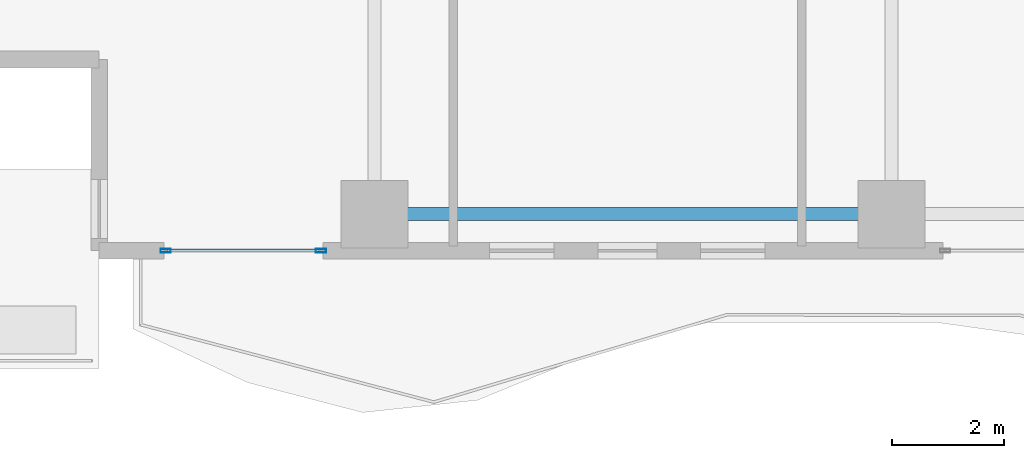
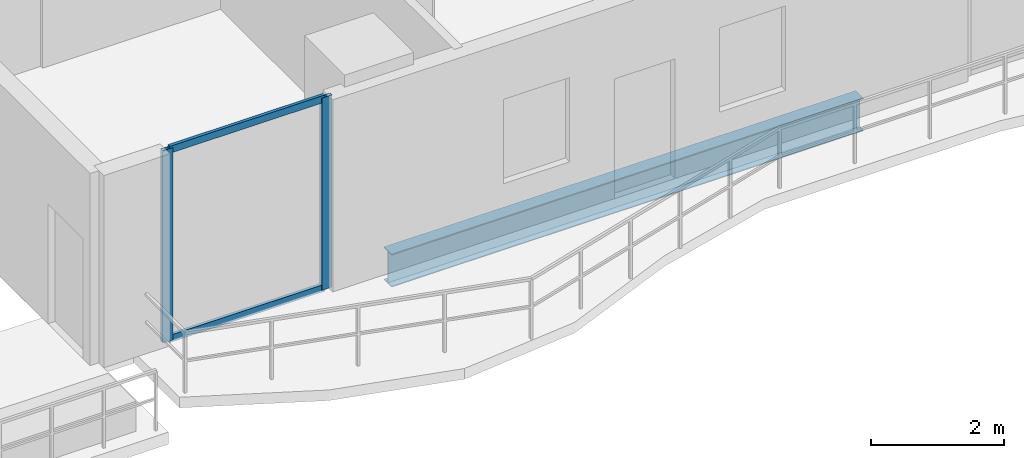
# One storey, part 2 of 32: 4 members, 1 beam, 1 element without a shape of its own.
"""IFC4 building model written with IfcOpenShell, lengths in metres."""

from ifc_helpers import new_model, si_unit, direction, frame, origin, origin_2d, place, context, subcontext, project, spatial, hollow_rectangle, i_section, extrude, material, layer, layer_set, material_profile, profile_set, type_object, element, aggregate, save


model = new_model("IFC4")

# Units and contexts
model_context = context("Model", 3, precision=1e-05, world=origin(), true_north=direction((0.0, 1.0)))
body_context = subcontext(model_context, "Body", "Model", "MODEL_VIEW")
ifc_project = project(units=[si_unit("LENGTHUNIT", "METRE"), si_unit("AREAUNIT", "SQUARE_METRE"), si_unit("VOLUMEUNIT", "CUBIC_METRE"), si_unit("PLANEANGLEUNIT", "RADIAN"), si_unit("MASSUNIT", "GRAM", prefix="KILO")], contexts=[model_context])

# Site, building, storey
site_placement = place(None, origin())
site = spatial("IfcSite", under=ifc_project, at=site_placement, CompositionType="ELEMENT")
building_placement = place(site_placement, origin())
building = spatial("IfcBuilding", under=site, at=building_placement, Name="Zuhayl Quay Hotel", CompositionType="ELEMENT")
storey_placement = place(building_placement, frame((0.0, 0.0, 196.14990234375)))
storey = spatial("IfcBuildingStorey", under=building, at=storey_placement, Name="L49", CompositionType="ELEMENT", Elevation=196.14990234375)

# Beam
ifc_material_1 = material(Name="Steel ASTM A992 Grade 50", Category="steel")
ifc_material_profile_1 = material_profile(ifc_material_1, i_section(OverallWidth=0.22802734375, OverallDepth=0.60693359375, WebThickness=0.01123046875, FlangeThickness=0.017333984375, at=origin_2d()), Name="W24X76")
ifc_profile_set_1 = profile_set([ifc_material_profile_1], Name="Steel ASTM A992 Grade 50")
beam_type = type_object("IfcBeamType", Name="BM_B3_W24X76", PredefinedType="BEAM", material=ifc_profile_set_1)
beam_placement = place(storey_placement, frame((-13.300048828125, -6.949951171875, -0.5234375), z_axis=(1.0, 0.0, 0.0), x_axis=(0.0, 1.0, 0.0)))
element("IfcBeam", 1, at=beam_placement, inside=storey, type_object=beam_type, Name="L49 Floor Beam RG_L49_01", PredefinedType="BEAM", context=body_context, shape_type="SweptSolid", body=[
    extrude(i_section(OverallWidth=0.22802734375, OverallDepth=0.60693359375, WebThickness=0.01123046875, FlangeThickness=0.017333984375, at=origin_2d()), origin(), (0.0, 0.0, 1.0), 8.199951171875),
])

# Curtain wall, members
ifc_material_2 = material(Name="Anodised Aluminium 6063-T6", Category="aluminium")
ifc_layer = layer(ifc_material_2, 0.175048828125, Name="Anodised Aluminium 6063-T6", Category="aluminium")
ifc_layer_set = layer_set([ifc_layer], Name="Anodised Aluminium 6063-T6")
curtain_wall_type = type_object("IfcCurtainWallType", Name="CW_SYS_Z3", PredefinedType="USERDEFINED", material=ifc_layer_set)
curtain_wall_placement = place(storey_placement, origin())
curtain_wall = element("IfcCurtainWall", 2, at=curtain_wall_placement, inside=storey, type_object=curtain_wall_type, Name="L49 Curtain Wall ENV_L49_S_CW5", ObjectType="UNITISED CURTAIN WALL", PredefinedType="USERDEFINED")
ifc_material_3 = material(Name="Black-anodised aluminium 6063-T6", Category="aluminium")
ifc_material_profile_2 = material_profile(ifc_material_3, hollow_rectangle(XDim=0.06494140625, YDim=0.179931640625, WallThickness=0.00341796875, at=origin_2d()), Name="ALU180X65")
ifc_profile_set_2 = profile_set([ifc_material_profile_2], Name="Black-anodised aluminium 6063-T6")
member_type_1 = type_object("IfcMemberType", Name="MB_CW_MUL_180", PredefinedType="MULLION", material=ifc_profile_set_2)
member_1_placement = place(storey_placement, frame((-14.75244140625, -7.60009765625, 0.0), z_axis=(0.0, 0.0, 1.0), x_axis=(0.0, -1.0, 0.0)))
member_1 = element("IfcMember", 3, at=member_1_placement, type_object=member_type_1, Name="CW-Z3 mullion 1", PredefinedType="MULLION", context=body_context, shape_type="SweptSolid", body=[
    extrude(hollow_rectangle(XDim=0.06494140625, YDim=0.179931640625, WallThickness=0.00341796875, at=origin_2d()), origin(), (0.0, 0.0, 1.0), 3.530029296875),
])
member_2_placement = place(storey_placement, frame((-17.517578125, -7.60009765625, 0.0), z_axis=(0.0, 0.0, 1.0), x_axis=(0.0, -1.0, 0.0)))
member_2 = element("IfcMember", 4, at=member_2_placement, type_object=member_type_1, Name="CW-Z3 mullion 2", PredefinedType="MULLION", context=body_context, shape_type="SweptSolid", body=[
    extrude(hollow_rectangle(XDim=0.06494140625, YDim=0.179931640625, WallThickness=0.00341796875, at=origin_2d()), origin(), (0.0, 0.0, 1.0), 3.530029296875),
])
ifc_material_profile_3 = material_profile(ifc_material_3, hollow_rectangle(XDim=0.054931640625, YDim=0.1298828125, WallThickness=0.0029296875, at=origin_2d()), Name="ALU130X55")
ifc_profile_set_3 = profile_set([ifc_material_profile_3], Name="Black-anodised aluminium 6063-T6")
member_type_2 = type_object("IfcMemberType", Name="MB_CW_TRN_130", PredefinedType="USERDEFINED", material=ifc_profile_set_3)
member_3_placement = place(storey_placement, frame((-14.784912109375, -7.60009765625, 0.027587890625), z_axis=(-1.0, 0.0, 0.0), x_axis=(0.0, -1.0, 0.0)))
member_3 = element("IfcMember", 5, at=member_3_placement, type_object=member_type_2, Name="CW-Z3 transom 1.1", ObjectType="TRANSOM", PredefinedType="USERDEFINED", context=body_context, shape_type="SweptSolid", body=[
    extrude(hollow_rectangle(XDim=0.054931640625, YDim=0.1298828125, WallThickness=0.0029296875, at=origin_2d()), origin(), (0.0, 0.0, 1.0), 2.7001953125),
])
member_4_placement = place(storey_placement, frame((-14.784912109375, -7.60009765625, 3.502685546875), z_axis=(-1.0, 0.0, 0.0), x_axis=(0.0, -1.0, 0.0)))
member_4 = element("IfcMember", 6, at=member_4_placement, type_object=member_type_2, Name="CW-Z3 transom 1.2", ObjectType="TRANSOM", PredefinedType="USERDEFINED", context=body_context, shape_type="SweptSolid", body=[
    extrude(hollow_rectangle(XDim=0.054931640625, YDim=0.1298828125, WallThickness=0.0029296875, at=origin_2d()), origin(), (0.0, 0.0, 1.0), 2.7001953125),
])
aggregate(curtain_wall, [member_1, member_2, member_3, member_4])

save(model, "model.ifc")
